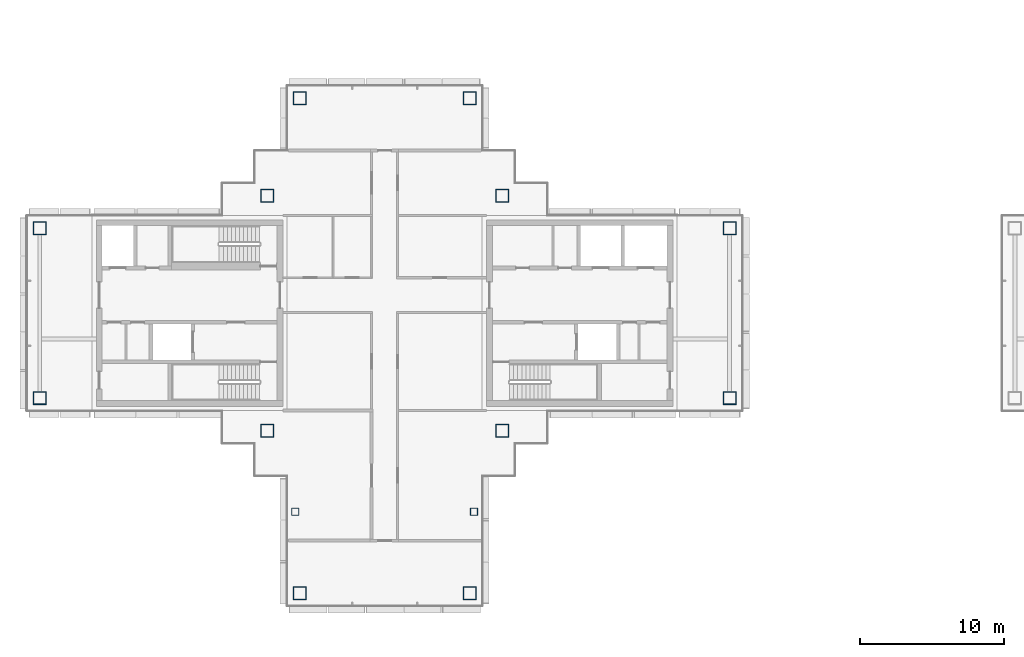
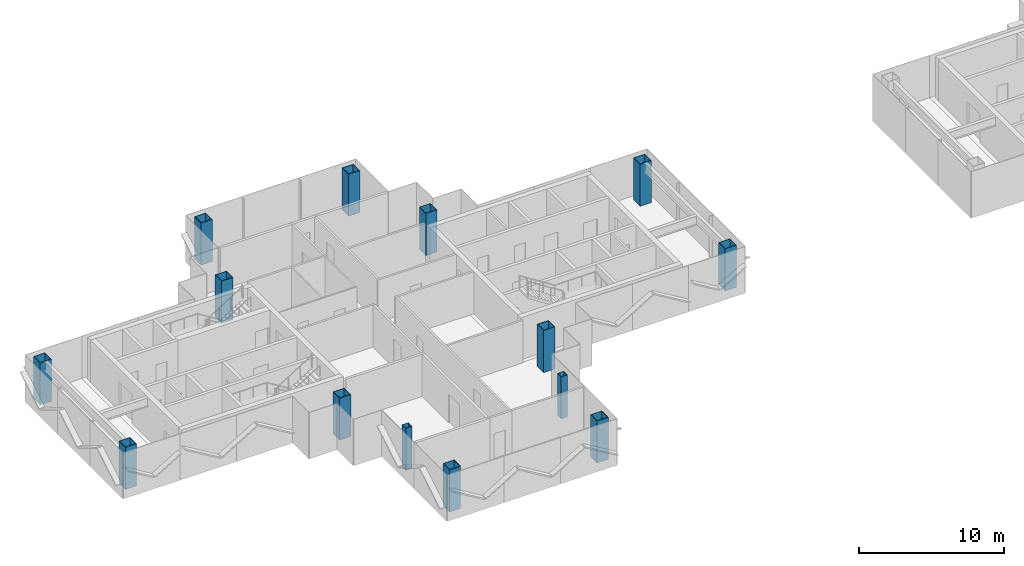
# One storey, part 1 of 17: 14 columns.
"""IFC4 building model written with IfcOpenShell, lengths in metres."""

import ifcopenshell
import ifcopenshell.guid

model = None  # the IFC model being written
_history = None  # IfcOwnerHistory: only IFC2X3 demands one
_inside = {}  # id of a spatial element -> (the spatial element, [elements in it])
_under = {}  # id of a project, library or spatial element -> (it, [spatial elements below it])
_declared = {}  # id of a project -> (the project, [libraries it declares])
_typed = {}  # id of a type object -> (the type object, [elements of that type])
_made_of = {}  # id of a material, layer set ... -> (it, [elements and type objects made of it])


def new_model(schema):
    """Start an empty IFC model of exactly this schema.

    Asked for "IFC4X3", IfcOpenShell would pick the latest addendum, in which some entities
    have other attributes; the version numbers below select the first issue.
    IFC2X3 requires an IfcOwnerHistory on every rooted entity: one is made here for all.
    """
    global model, _history
    if schema == "IFC4X3":
        model = ifcopenshell.file(schema_version=(4, 3, 0, 0))
    else:
        model = ifcopenshell.file(schema=schema)
    _inside.clear()
    _under.clear()
    _declared.clear()
    _typed.clear()
    _made_of.clear()
    _history = None
    if model.schema == "IFC2X3":
        org = make("IfcOrganization", Name="unknown")
        user = make(
            "IfcPersonAndOrganization",
            ThePerson=make("IfcPerson", FamilyName="unknown"),
            TheOrganization=org,
        )
        app = make(
            "IfcApplication",
            ApplicationDeveloper=org,
            Version="unknown",
            ApplicationFullName="unknown",
            ApplicationIdentifier="unknown",
        )
        _history = make(
            "IfcOwnerHistory",
            OwningUser=user,
            OwningApplication=app,
            ChangeAction="ADDED",
            CreationDate=0,
        )
    return model


def make(cls, **values):
    """One entity of the class cls with the attributes given. An attribute that is None is left unset."""
    return model.create_entity(
        cls, **{name: value for name, value in values.items() if value is not None}
    )


def rooted(cls, **values):
    """An entity with a GlobalId (a new one), such as an element, a storey or a relation."""
    return make(cls, GlobalId=ifcopenshell.guid.new(), OwnerHistory=_history, **values)


def si_unit(unit_type, name, prefix=None):
    """IfcSIUnit, for example si_unit("LENGTHUNIT", "METRE", prefix="MILLI")."""
    return make("IfcSIUnit", UnitType=unit_type, Prefix=prefix, Name=name)


def assignment(units):
    """IfcUnitAssignment: the units of a project."""
    return None if units is None else make("IfcUnitAssignment", Units=units)


def point(xyz):
    """IfcCartesianPoint."""
    return None if xyz is None else make("IfcCartesianPoint", Coordinates=xyz)


def direction(xyz):
    """IfcDirection."""
    return None if xyz is None else make("IfcDirection", DirectionRatios=xyz)


def frame(location, z_axis=None, x_axis=None):
    """IfcAxis2Placement3D, a coordinate frame: its origin and axes. An axis left out is left unset."""
    return make(
        "IfcAxis2Placement3D",
        Location=point(location),
        Axis=direction(z_axis),
        RefDirection=direction(x_axis),
    )


def frame_2d(location, x_axis=None):
    """IfcAxis2Placement2D, a coordinate frame in the plane: its origin and x axis."""
    return make(
        "IfcAxis2Placement2D", Location=point(location), RefDirection=direction(x_axis)
    )


def origin():
    """The frame at (0, 0, 0) with its axes left unset."""
    return frame((0.0, 0.0, 0.0))


def origin_2d():
    """The frame at (0, 0) in the plane with its x axis left unset."""
    return frame_2d((0.0, 0.0))


def place(relative_to, where):
    """IfcLocalPlacement: puts the frame where relative to a parent placement (None: the world)."""
    return make(
        "IfcLocalPlacement", PlacementRelTo=relative_to, RelativePlacement=where
    )


def context(
    kind, dimensions, precision=None, world=None, true_north=None, identifier=None
):
    """IfcGeometricRepresentationContext, for example the 3D "Model" context."""
    return make(
        "IfcGeometricRepresentationContext",
        ContextIdentifier=identifier,
        ContextType=kind,
        CoordinateSpaceDimension=dimensions,
        Precision=precision,
        WorldCoordinateSystem=world,
        TrueNorth=true_north,
    )


def subcontext(parent, identifier, kind, view, scale=None):
    """IfcGeometricRepresentationSubContext, for example "Body" below "Model"."""
    return make(
        "IfcGeometricRepresentationSubContext",
        ContextIdentifier=identifier,
        ContextType=kind,
        ParentContext=parent,
        TargetScale=scale,
        TargetView=view,
    )


def project(units=None, contexts=None):
    """IfcProject with its units and contexts."""
    return rooted(
        "IfcProject",
        Name="project",
        RepresentationContexts=contexts,
        UnitsInContext=assignment(units),
    )


def spatial(cls, under=None, at=None, **own):
    """A site, building, storey or space (cls), placed at a placement, below another one or the project."""
    s = rooted(cls, ObjectPlacement=at, **own)
    if under is not None:
        _under.setdefault(under.id(), (under, []))[1].append(s)
    return s


def profile(cls, at=None, kind="AREA", **sizes):
    """A parametric profile (cls). Its sizes go by their IFC names, for example OverallWidth=200.0."""
    return make(cls, ProfileType=kind, Position=at, **sizes)


def hollow_rectangle(**sizes):
    """IfcRectangleHollowProfileDef."""
    return profile("IfcRectangleHollowProfileDef", **sizes)


def extrude(swept, where, along, depth):
    """IfcExtrudedAreaSolid: the profile swept, set in the frame where, extruded along a direction by depth."""
    return make(
        "IfcExtrudedAreaSolid",
        SweptArea=swept,
        Position=where,
        ExtrudedDirection=direction(along),
        Depth=depth,
    )


def shape(context_of_items, identifier, shape_type, items):
    """IfcShapeRepresentation: the items that make up one representation, for example the "Body"."""
    return make(
        "IfcShapeRepresentation",
        ContextOfItems=context_of_items,
        RepresentationIdentifier=identifier,
        RepresentationType=shape_type,
        Items=items,
    )


def material(Name=None, Category=None):
    """IfcMaterial."""
    return make("IfcMaterial", Name=Name, Category=Category)


def material_profile(
    of_material, cross_section, Name=None, Category=None, Priority=None
):
    """IfcMaterialProfile: a cross section and its material."""
    return make(
        "IfcMaterialProfile",
        Name=Name,
        Material=of_material,
        Profile=cross_section,
        Priority=Priority,
        Category=Category,
    )


def profile_set(profiles, Name=None, composite=None):
    """IfcMaterialProfileSet."""
    return make(
        "IfcMaterialProfileSet",
        Name=Name,
        MaterialProfiles=profiles,
        CompositeProfile=composite,
    )


def made_of(thing, what):
    """Note that an element or type object is made of a material, layer set ...; save() writes the relation."""
    if what is not None:
        _made_of.setdefault(what.id(), (what, []))[1].append(thing)
    return thing


def type_object(cls, material=None, **own):
    """A type object (cls), such as IfcWallType, which elements share."""
    return made_of(rooted(cls, **own), material)


def element(
    cls,
    number,
    at=None,
    inside=None,
    cuts=None,
    type_object=None,
    material=None,
    context=None,
    identifier="Body",
    shape_type=None,
    held_by="IfcProductDefinitionShape",
    body=None,
    shapes=None,
    **own,
):
    """One element of the class cls, such as IfcWall. Its Tag is "e" and its number.

    at: its placement. inside: the storey or other place that contains it. cuts: it is an
    opening in that element (IfcRelVoidsElement). A single representation is given by context,
    identifier, shape_type and body (its items); several are given by shapes. held_by: the class
    of the entity that holds the representations. save() writes the other relations.
    """
    e = rooted(cls, Tag="e%d" % number, ObjectPlacement=at, **own)
    if body is not None:
        shapes = [shape(context, identifier, shape_type, body)]
    if shapes is not None:
        e.Representation = make(held_by, Representations=shapes)
    if inside is not None:
        _inside.setdefault(inside.id(), (inside, []))[1].append(e)
    if cuts is not None:
        rooted(
            "IfcRelVoidsElement", RelatingBuildingElement=cuts, RelatedOpeningElement=e
        )
    if type_object is not None:
        _typed.setdefault(type_object.id(), (type_object, []))[1].append(e)
    return made_of(e, material)


def aggregate(whole, parts):
    """IfcRelAggregates: a whole, such as a stair, and the parts it consists of."""
    return rooted("IfcRelAggregates", RelatingObject=whole, RelatedObjects=parts)


def save(model, path):
    """Write the relations noted so far, then the file.

    IfcRelAggregates (storeys below a building ...), IfcRelContainedInSpatialStructure (elements
    in a storey), IfcRelDefinesByType, IfcRelAssociatesMaterial and IfcRelDeclares: one each for
    every whole, place, type object, material and project.
    """
    for whole, parts in _under.values():
        aggregate(whole, parts)
    for where, things in _inside.values():
        rooted(
            "IfcRelContainedInSpatialStructure",
            RelatedElements=things,
            RelatingStructure=where,
        )
    for kind, things in _typed.values():
        rooted("IfcRelDefinesByType", RelatedObjects=things, RelatingType=kind)
    for what, things in _made_of.values():
        rooted("IfcRelAssociatesMaterial", RelatedObjects=things, RelatingMaterial=what)
    for by, libraries in _declared.values():
        rooted("IfcRelDeclares", RelatingContext=by, RelatedDefinitions=libraries)
    model.write(path)


model = new_model("IFC4")

# Units and contexts
model_context = context("Model", 3, precision=1e-05, world=origin(), true_north=direction((0.0, 1.0)))
body_context = subcontext(model_context, "Body", "Model", "MODEL_VIEW")
ifc_project = project(units=[si_unit("LENGTHUNIT", "METRE"), si_unit("AREAUNIT", "SQUARE_METRE"), si_unit("VOLUMEUNIT", "CUBIC_METRE"), si_unit("PLANEANGLEUNIT", "RADIAN"), si_unit("MASSUNIT", "GRAM", prefix="KILO")], contexts=[model_context])

# Site, building, storey
site_placement = place(None, origin())
site = spatial("IfcSite", under=ifc_project, at=site_placement, CompositionType="ELEMENT")
building_placement = place(site_placement, origin())
building = spatial("IfcBuilding", under=site, at=building_placement, Name="Shamsa Quay Exchange Towers", CompositionType="ELEMENT")
storey_placement = place(building_placement, frame((0.0, 0.0, 234.300048828125)))
storey = spatial("IfcBuildingStorey", under=building, at=storey_placement, Name="L56", CompositionType="ELEMENT", Elevation=234.300048828125)

# Columns
ifc_material_1 = material(Name="Concrete-filled steel tube S355 / C60/75", Category="concrete")
ifc_material_profile_1 = material_profile(ifc_material_1, hollow_rectangle(XDim=0.5, YDim=0.5, WallThickness=0.01611328125, at=origin_2d()), Name="CFT 500x500x16")
ifc_profile_set_1 = profile_set([ifc_material_profile_1], Name="Concrete-filled steel tube S355 / C60/75")
column_type_1 = type_object("IfcColumnType", Name="Column CFT 500x500x16", PredefinedType="COLUMN", material=ifc_profile_set_1)
for number, where, name in (
    (1, (-39.9375, -13.75, 0.0), "Perimeter column T1-CP19"),
    (2, (-27.5625, -13.75, 0.0), "Perimeter column T1-CP22"),
):
    element("IfcColumn", number, at=place(storey_placement, frame(where)), inside=storey, type_object=column_type_1, Name=name, PredefinedType="COLUMN", context=body_context, shape_type="SweptSolid", body=[
        extrude(hollow_rectangle(XDim=0.5, YDim=0.5, WallThickness=0.01611328125, at=origin_2d()), origin(), (0.0, 0.0, 1.0), 3.550048828125),
    ])
ifc_material_2 = material(Name="Concrete-filled steel tube S355 / C80/95", Category="concrete")
ifc_material_profile_2 = material_profile(ifc_material_2, hollow_rectangle(XDim=0.89990234375, YDim=0.89990234375, WallThickness=0.035888671875, at=origin_2d()), Name="CFT 900x900x36")
ifc_profile_set_2 = profile_set([ifc_material_profile_2], Name="Concrete-filled steel tube S355 / C80/95")
column_type_2 = type_object("IfcColumnType", Name="Column CFT 900x900x36", PredefinedType="COLUMN", material=ifc_profile_set_2)
for number, where, name in (
    (3, (-25.625, 8.125, 0.0), "Mega column T1-CM01"),
    (4, (-25.625, -8.125, 0.0), "Mega column T1-CM02"),
    (5, (-41.875, 8.125, 0.0), "Mega column T1-CM03"),
    (6, (-41.875, -8.125, 0.0), "Mega column T1-CM04"),
    (7, (-9.875, -5.875, 0.0), "Mega column T1-CM05"),
    (8, (-9.875, 5.875, 0.0), "Mega column T1-CM07"),
    (9, (-57.625, -5.875, 0.0), "Mega column T1-CM09"),
    (10, (-57.625, 5.875, 0.0), "Mega column T1-CM11"),
    (11, (-39.625, 14.875, 0.0), "Mega column T1-CM13"),
    (12, (-27.875, 14.875, 0.0), "Mega column T1-CM16"),
    (13, (-39.625, -19.375, 0.0), "Mega column T1-CM20"),
    (14, (-27.875, -19.375, 0.0), "Mega column T1-CM23"),
):
    element("IfcColumn", number, at=place(storey_placement, frame(where)), inside=storey, type_object=column_type_2, Name=name, PredefinedType="COLUMN", context=body_context, shape_type="SweptSolid", body=[
        extrude(hollow_rectangle(XDim=0.89990234375, YDim=0.89990234375, WallThickness=0.035888671875, at=origin_2d()), origin(), (0.0, 0.0, 1.0), 3.550048828125),
    ])

save(model, "model.ifc")
